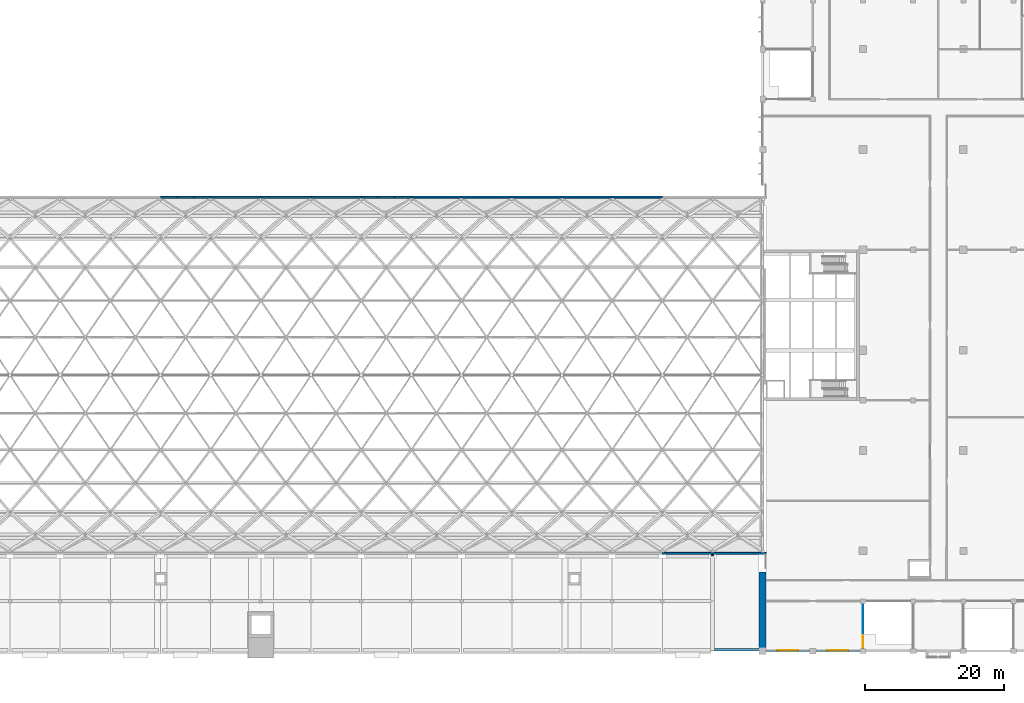
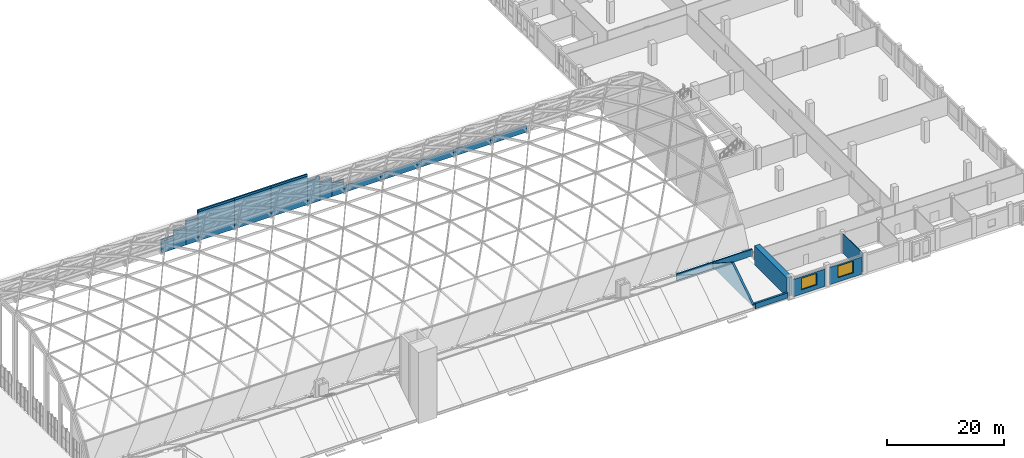
# One storey, part 33 of 52: 31 walls, 2 windows, 1 door, 3 openings.
"""IFC4 building model written with IfcOpenShell, lengths in metres."""

import ifcopenshell
import ifcopenshell.guid

model = None  # the IFC model being written
_history = None  # IfcOwnerHistory: only IFC2X3 demands one
_inside = {}  # id of a spatial element -> (the spatial element, [elements in it])
_under = {}  # id of a project, library or spatial element -> (it, [spatial elements below it])
_declared = {}  # id of a project -> (the project, [libraries it declares])
_typed = {}  # id of a type object -> (the type object, [elements of that type])
_made_of = {}  # id of a material, layer set ... -> (it, [elements and type objects made of it])


def new_model(schema):
    """Start an empty IFC model of exactly this schema.

    Asked for "IFC4X3", IfcOpenShell would pick the latest addendum, in which some entities
    have other attributes; the version numbers below select the first issue.
    IFC2X3 requires an IfcOwnerHistory on every rooted entity: one is made here for all.
    """
    global model, _history
    if schema == "IFC4X3":
        model = ifcopenshell.file(schema_version=(4, 3, 0, 0))
    else:
        model = ifcopenshell.file(schema=schema)
    _inside.clear()
    _under.clear()
    _declared.clear()
    _typed.clear()
    _made_of.clear()
    _history = None
    if model.schema == "IFC2X3":
        org = make("IfcOrganization", Name="unknown")
        user = make(
            "IfcPersonAndOrganization",
            ThePerson=make("IfcPerson", FamilyName="unknown"),
            TheOrganization=org,
        )
        app = make(
            "IfcApplication",
            ApplicationDeveloper=org,
            Version="unknown",
            ApplicationFullName="unknown",
            ApplicationIdentifier="unknown",
        )
        _history = make(
            "IfcOwnerHistory",
            OwningUser=user,
            OwningApplication=app,
            ChangeAction="ADDED",
            CreationDate=0,
        )
    return model


def make(cls, **values):
    """One entity of the class cls with the attributes given. An attribute that is None is left unset."""
    return model.create_entity(
        cls, **{name: value for name, value in values.items() if value is not None}
    )


def rooted(cls, **values):
    """An entity with a GlobalId (a new one), such as an element, a storey or a relation."""
    return make(cls, GlobalId=ifcopenshell.guid.new(), OwnerHistory=_history, **values)


def si_unit(unit_type, name, prefix=None):
    """IfcSIUnit, for example si_unit("LENGTHUNIT", "METRE", prefix="MILLI")."""
    return make("IfcSIUnit", UnitType=unit_type, Prefix=prefix, Name=name)


def assignment(units):
    """IfcUnitAssignment: the units of a project."""
    return None if units is None else make("IfcUnitAssignment", Units=units)


def point(xyz):
    """IfcCartesianPoint."""
    return None if xyz is None else make("IfcCartesianPoint", Coordinates=xyz)


def direction(xyz):
    """IfcDirection."""
    return None if xyz is None else make("IfcDirection", DirectionRatios=xyz)


def frame(location, z_axis=None, x_axis=None):
    """IfcAxis2Placement3D, a coordinate frame: its origin and axes. An axis left out is left unset."""
    return make(
        "IfcAxis2Placement3D",
        Location=point(location),
        Axis=direction(z_axis),
        RefDirection=direction(x_axis),
    )


def frame_2d(location, x_axis=None):
    """IfcAxis2Placement2D, a coordinate frame in the plane: its origin and x axis."""
    return make(
        "IfcAxis2Placement2D", Location=point(location), RefDirection=direction(x_axis)
    )


def origin():
    """The frame at (0, 0, 0) with its axes left unset."""
    return frame((0.0, 0.0, 0.0))


def place(relative_to, where):
    """IfcLocalPlacement: puts the frame where relative to a parent placement (None: the world)."""
    return make(
        "IfcLocalPlacement", PlacementRelTo=relative_to, RelativePlacement=where
    )


def context(
    kind, dimensions, precision=None, world=None, true_north=None, identifier=None
):
    """IfcGeometricRepresentationContext, for example the 3D "Model" context."""
    return make(
        "IfcGeometricRepresentationContext",
        ContextIdentifier=identifier,
        ContextType=kind,
        CoordinateSpaceDimension=dimensions,
        Precision=precision,
        WorldCoordinateSystem=world,
        TrueNorth=true_north,
    )


def subcontext(parent, identifier, kind, view, scale=None):
    """IfcGeometricRepresentationSubContext, for example "Body" below "Model"."""
    return make(
        "IfcGeometricRepresentationSubContext",
        ContextIdentifier=identifier,
        ContextType=kind,
        ParentContext=parent,
        TargetScale=scale,
        TargetView=view,
    )


def project(units=None, contexts=None):
    """IfcProject with its units and contexts."""
    return rooted(
        "IfcProject",
        Name="project",
        RepresentationContexts=contexts,
        UnitsInContext=assignment(units),
    )


def spatial(cls, under=None, at=None, **own):
    """A site, building, storey or space (cls), placed at a placement, below another one or the project."""
    s = rooted(cls, ObjectPlacement=at, **own)
    if under is not None:
        _under.setdefault(under.id(), (under, []))[1].append(s)
    return s


def polyline(points):
    """IfcPolyline through the points."""
    return make("IfcPolyline", Points=[point(p) for p in points])


def profile(cls, at=None, kind="AREA", **sizes):
    """A parametric profile (cls). Its sizes go by their IFC names, for example OverallWidth=200.0."""
    return make(cls, ProfileType=kind, Position=at, **sizes)


def rectangle(**sizes):
    """IfcRectangleProfileDef."""
    return profile("IfcRectangleProfileDef", **sizes)


def outline(outer, holes=None, kind="AREA"):
    """IfcArbitraryClosedProfileDef: a profile drawn as a closed curve; with holes, ...WithVoids."""
    if holes is None:
        return make("IfcArbitraryClosedProfileDef", ProfileType=kind, OuterCurve=outer)
    return make(
        "IfcArbitraryProfileDefWithVoids",
        ProfileType=kind,
        OuterCurve=outer,
        InnerCurves=holes,
    )


def extrude(swept, where, along, depth):
    """IfcExtrudedAreaSolid: the profile swept, set in the frame where, extruded along a direction by depth."""
    return make(
        "IfcExtrudedAreaSolid",
        SweptArea=swept,
        Position=where,
        ExtrudedDirection=direction(along),
        Depth=depth,
    )


def shape(context_of_items, identifier, shape_type, items):
    """IfcShapeRepresentation: the items that make up one representation, for example the "Body"."""
    return make(
        "IfcShapeRepresentation",
        ContextOfItems=context_of_items,
        RepresentationIdentifier=identifier,
        RepresentationType=shape_type,
        Items=items,
    )


def material(Name=None, Category=None):
    """IfcMaterial."""
    return make("IfcMaterial", Name=Name, Category=Category)


def layer(
    of_material, thickness, ventilated=None, Name=None, Category=None, Priority=None
):
    """IfcMaterialLayer: one layer of a wall or slab, of a material (None: an air gap)."""
    return make(
        "IfcMaterialLayer",
        Material=of_material,
        LayerThickness=thickness,
        IsVentilated=ventilated,
        Name=Name,
        Category=Category,
        Priority=Priority,
    )


def layer_set(layers, Name=None):
    """IfcMaterialLayerSet."""
    return make("IfcMaterialLayerSet", MaterialLayers=layers, LayerSetName=Name)


def made_of(thing, what):
    """Note that an element or type object is made of a material, layer set ...; save() writes the relation."""
    if what is not None:
        _made_of.setdefault(what.id(), (what, []))[1].append(thing)
    return thing


def type_object(cls, material=None, **own):
    """A type object (cls), such as IfcWallType, which elements share."""
    return made_of(rooted(cls, **own), material)


def element(
    cls,
    number,
    at=None,
    inside=None,
    cuts=None,
    type_object=None,
    material=None,
    context=None,
    identifier="Body",
    shape_type=None,
    held_by="IfcProductDefinitionShape",
    body=None,
    shapes=None,
    **own,
):
    """One element of the class cls, such as IfcWall. Its Tag is "e" and its number.

    at: its placement. inside: the storey or other place that contains it. cuts: it is an
    opening in that element (IfcRelVoidsElement). A single representation is given by context,
    identifier, shape_type and body (its items); several are given by shapes. held_by: the class
    of the entity that holds the representations. save() writes the other relations.
    """
    e = rooted(cls, Tag="e%d" % number, ObjectPlacement=at, **own)
    if body is not None:
        shapes = [shape(context, identifier, shape_type, body)]
    if shapes is not None:
        e.Representation = make(held_by, Representations=shapes)
    if inside is not None:
        _inside.setdefault(inside.id(), (inside, []))[1].append(e)
    if cuts is not None:
        rooted(
            "IfcRelVoidsElement", RelatingBuildingElement=cuts, RelatedOpeningElement=e
        )
    if type_object is not None:
        _typed.setdefault(type_object.id(), (type_object, []))[1].append(e)
    return made_of(e, material)


def fill(opening, filler):
    """IfcRelFillsElement: the door or window that sits in an opening."""
    return rooted(
        "IfcRelFillsElement",
        RelatingOpeningElement=opening,
        RelatedBuildingElement=filler,
    )


def aggregate(whole, parts):
    """IfcRelAggregates: a whole, such as a stair, and the parts it consists of."""
    return rooted("IfcRelAggregates", RelatingObject=whole, RelatedObjects=parts)


def save(model, path):
    """Write the relations noted so far, then the file.

    IfcRelAggregates (storeys below a building ...), IfcRelContainedInSpatialStructure (elements
    in a storey), IfcRelDefinesByType, IfcRelAssociatesMaterial and IfcRelDeclares: one each for
    every whole, place, type object, material and project.
    """
    for whole, parts in _under.values():
        aggregate(whole, parts)
    for where, things in _inside.values():
        rooted(
            "IfcRelContainedInSpatialStructure",
            RelatedElements=things,
            RelatingStructure=where,
        )
    for kind, things in _typed.values():
        rooted("IfcRelDefinesByType", RelatedObjects=things, RelatingType=kind)
    for what, things in _made_of.values():
        rooted("IfcRelAssociatesMaterial", RelatedObjects=things, RelatingMaterial=what)
    for by, libraries in _declared.values():
        rooted("IfcRelDeclares", RelatingContext=by, RelatedDefinitions=libraries)
    model.write(path)


model = new_model("IFC4")

# Units and contexts
model_context = context("Model", 3, precision=1e-05, world=origin(), true_north=direction((0.0, 1.0)))
body_context = subcontext(model_context, "Body", "Model", "MODEL_VIEW")
ifc_project = project(units=[si_unit("LENGTHUNIT", "METRE"), si_unit("AREAUNIT", "SQUARE_METRE"), si_unit("VOLUMEUNIT", "CUBIC_METRE"), si_unit("PLANEANGLEUNIT", "RADIAN"), si_unit("MASSUNIT", "GRAM", prefix="KILO")], contexts=[model_context])

# Site, building, storey
site_placement = place(None, origin())
site = spatial("IfcSite", under=ifc_project, at=site_placement, CompositionType="ELEMENT")
building_placement = place(site_placement, origin())
building = spatial("IfcBuilding", under=site, at=building_placement, Name="Vermilion Court Aquatics Centre", CompositionType="ELEMENT")
storey_placement = place(building_placement, frame((0.0, 0.0, 12.0)))
storey = spatial("IfcBuildingStorey", under=building, at=storey_placement, Name="L02", CompositionType="ELEMENT", Elevation=12.0)

# Walls
ifc_material_1 = material(Name="Brick masonry", Category="masonry")
ifc_layer_1 = layer(ifc_material_1, 0.280029296875)
ifc_layer_set_1 = layer_set([ifc_layer_1], Name="Envelope brick entrance gable step 280")
wall_type_1 = type_object("IfcWallType", Name="Envelope brick entrance gable step 280", PredefinedType="SOLIDWALL", material=ifc_layer_set_1)
wall_1_placement = place(storey_placement, frame((57.60009765625, 65.159912109375, 0.0), z_axis=(0.0, 0.0, 1.0), x_axis=(1.0, 0.0, 0.0)))
element("IfcWall", 1, at=wall_1_placement, inside=storey, type_object=wall_type_1, Name="North entrance gable step 7.1", PredefinedType="SOLIDWALL", context=body_context, shape_type="SweptSolid", body=[
    extrude(rectangle(XDim=2.39990234375, YDim=0.280029296875, at=frame_2d((1.199951171875, 0.0))), origin(), (0.0, 0.0, 1.0), 2.39990234375),
])
wall_2_placement = place(storey_placement, frame((60.0, 65.159912109375, 0.0), z_axis=(0.0, 0.0, 1.0), x_axis=(1.0, 0.0, 0.0)))
element("IfcWall", 2, at=wall_2_placement, inside=storey, type_object=wall_type_1, Name="North entrance gable step 7.2", PredefinedType="SOLIDWALL", context=body_context, shape_type="SweptSolid", body=[
    extrude(rectangle(XDim=2.39990234375, YDim=0.280029296875, at=frame_2d((1.199951171875, 0.0))), origin(), (0.0, 0.0, 1.0), 3.60009765625),
])
wall_3_placement = place(storey_placement, frame((62.39990234375, 65.159912109375, 0.0), z_axis=(0.0, 0.0, 1.0), x_axis=(1.0, 0.0, 0.0)))
element("IfcWall", 3, at=wall_3_placement, inside=storey, type_object=wall_type_1, Name="North entrance gable step 7.3", PredefinedType="SOLIDWALL", context=body_context, shape_type="SweptSolid", body=[
    extrude(rectangle(XDim=2.400146484375, YDim=0.280029296875, at=frame_2d((1.2001953125, 0.0))), origin(), (0.0, 0.0, 1.0), 4.800048828125),
])
for number, where, z_axis, x_axis, name in (
    (4, (64.800048828125, 65.159912109375, 0.0), (0.0, 0.0, 1.0), (1.0, 0.0, 0.0), "North entrance gable step 8.1"),
    (5, (72.0, 65.159912109375, 0.0), (0.0, 0.0, 1.0), (1.0, 0.0, 0.0), "North entrance gable step 9.1"),
    (6, (79.199951171875, 65.159912109375, 0.0), (0.0, 0.0, 1.0), (1.0, 0.0, 0.0), "North entrance gable step 10.1"),
):
    element("IfcWall", number, at=place(storey_placement, frame(where, z_axis=z_axis, x_axis=x_axis)), inside=storey, type_object=wall_type_1, Name=name, PredefinedType="SOLIDWALL", context=body_context, shape_type="SweptSolid", body=[
        extrude(rectangle(XDim=7.199951171875, YDim=0.280029296875, at=frame_2d((3.60009765625, 0.0))), origin(), (0.0, 0.0, 1.0), 6.0),
    ])
wall_4_placement = place(storey_placement, frame((86.39990234375, 65.159912109375, 0.0), z_axis=(0.0, 0.0, 1.0), x_axis=(1.0, 0.0, 0.0)))
element("IfcWall", 7, at=wall_4_placement, inside=storey, type_object=wall_type_1, Name="North entrance gable step 11.1", PredefinedType="SOLIDWALL", context=body_context, shape_type="SweptSolid", body=[
    extrude(rectangle(XDim=2.400146484375, YDim=0.280029296875, at=frame_2d((1.2001953125, 0.0))), origin(), (0.0, 0.0, 1.0), 4.800048828125),
])
wall_5_placement = place(storey_placement, frame((88.800048828125, 65.159912109375, 0.0), z_axis=(0.0, 0.0, 1.0), x_axis=(1.0, 0.0, 0.0)))
element("IfcWall", 8, at=wall_5_placement, inside=storey, type_object=wall_type_1, Name="North entrance gable step 11.2", PredefinedType="SOLIDWALL", context=body_context, shape_type="SweptSolid", body=[
    extrude(rectangle(XDim=2.39990234375, YDim=0.280029296875, at=frame_2d((1.199951171875, 0.0))), origin(), (0.0, 0.0, 1.0), 3.60009765625),
])
wall_6_placement = place(storey_placement, frame((91.199951171875, 65.159912109375, 0.0), z_axis=(0.0, 0.0, 1.0), x_axis=(1.0, 0.0, 0.0)))
element("IfcWall", 9, at=wall_6_placement, inside=storey, type_object=wall_type_1, Name="North entrance gable step 11.3", PredefinedType="SOLIDWALL", context=body_context, shape_type="SweptSolid", body=[
    extrude(rectangle(XDim=2.400146484375, YDim=0.280029296875, at=frame_2d((1.2001953125, 0.0))), origin(), (0.0, 0.0, 1.0), 2.39990234375),
])
ifc_material_2 = material(Name="Brick masonry", Category="masonry")
ifc_layer_2 = layer(ifc_material_2, 0.280029296875)
ifc_layer_set_2 = layer_set([ifc_layer_2], Name="Envelope brick parapet 280")
wall_type_2 = type_object("IfcWallType", Name="Envelope brick parapet 280", PredefinedType="PARAPET", material=ifc_layer_set_2)
wall_7_placement = place(storey_placement, frame((129.60009765625, 14.0400390625, 0.0), z_axis=(0.0, 0.0, 1.0), x_axis=(1.0, 0.0, 0.0)))
element("IfcWall", 10, at=wall_7_placement, inside=storey, type_object=wall_type_2, Name="Roof parapet S17", PredefinedType="PARAPET", context=body_context, shape_type="SweptSolid", body=[
    extrude(rectangle(XDim=7.199951171875, YDim=0.280029296875, at=frame_2d((3.60009765625, 0.0))), origin(), (0.0, 0.0, 1.0), 1.39990234375),
])
wall_8_placement = place(storey_placement, frame((136.800048828125, 14.0400390625, 0.0), z_axis=(0.0, 0.0, 1.0), x_axis=(1.0, 0.0, 0.0)))
element("IfcWall", 11, at=wall_8_placement, inside=storey, type_object=wall_type_2, Name="Roof parapet S18", PredefinedType="PARAPET", context=body_context, shape_type="SweptSolid", body=[
    extrude(rectangle(XDim=7.699951171875, YDim=0.280029296875, at=frame_2d((3.85009765625, 0.0))), origin(), (0.0, 0.0, 1.0), 1.39990234375),
])
for number, where, z_axis, x_axis, name in (
    (12, (93.60009765625, 65.159912109375, 0.0), (0.0, 0.0, 1.0), (1.0, 0.0, 0.0), "Roof parapet N12"),
    (13, (100.800048828125, 65.159912109375, 0.0), (0.0, 0.0, 1.0), (1.0, 0.0, 0.0), "Roof parapet N13"),
    (14, (108.0, 65.159912109375, 0.0), (0.0, 0.0, 1.0), (1.0, 0.0, 0.0), "Roof parapet N14"),
    (15, (115.199951171875, 65.159912109375, 0.0), (0.0, 0.0, 1.0), (1.0, 0.0, 0.0), "Roof parapet N15"),
):
    element("IfcWall", number, at=place(storey_placement, frame(where, z_axis=z_axis, x_axis=x_axis)), inside=storey, type_object=wall_type_2, Name=name, PredefinedType="PARAPET", context=body_context, shape_type="SweptSolid", body=[
        extrude(rectangle(XDim=7.199951171875, YDim=0.280029296875, at=frame_2d((3.60009765625, 0.0))), origin(), (0.0, 0.0, 1.0), 1.39990234375),
    ])
wall_9_placement = place(storey_placement, frame((122.39990234375, 65.159912109375, 0.0), z_axis=(0.0, 0.0, 1.0), x_axis=(1.0, 0.0, 0.0)))
element("IfcWall", 16, at=wall_9_placement, inside=storey, type_object=wall_type_2, Name="Roof parapet N16", PredefinedType="PARAPET", context=body_context, shape_type="SweptSolid", body=[
    extrude(rectangle(XDim=7.2001953125, YDim=0.280029296875, at=frame_2d((3.60009765625, 0.0))), origin(), (0.0, 0.0, 1.0), 1.39990234375),
])
ifc_material_3 = material(Name="Terracotta", Category="masonry")
ifc_layer_3 = layer(ifc_material_3, 0.280029296875)
ifc_layer_set_3 = layer_set([ifc_layer_3], Name="Envelope terracotta step coping 280")
wall_type_3 = type_object("IfcWallType", Name="Envelope terracotta step coping 280", PredefinedType="PARAPET", material=ifc_layer_set_3)
wall_10_placement = place(storey_placement, frame((57.60009765625, 65.159912109375, 2.39990234375), z_axis=(0.0, 0.0, 1.0), x_axis=(1.0, 0.0, 0.0)))
element("IfcWall", 17, at=wall_10_placement, inside=storey, type_object=wall_type_3, Name="North entrance gable coping 7.1", PredefinedType="PARAPET", context=body_context, shape_type="SweptSolid", body=[
    extrude(rectangle(XDim=2.39990234375, YDim=0.280029296875, at=frame_2d((1.199951171875, 0.0))), origin(), (0.0, 0.0, 1.0), 0.400146484375),
])
wall_11_placement = place(storey_placement, frame((60.0, 65.159912109375, 3.60009765625), z_axis=(0.0, 0.0, 1.0), x_axis=(1.0, 0.0, 0.0)))
element("IfcWall", 18, at=wall_11_placement, inside=storey, type_object=wall_type_3, Name="North entrance gable coping 7.2", PredefinedType="PARAPET", context=body_context, shape_type="SweptSolid", body=[
    extrude(rectangle(XDim=2.39990234375, YDim=0.280029296875, at=frame_2d((1.199951171875, 0.0))), origin(), (0.0, 0.0, 1.0), 0.39990234375),
])
wall_12_placement = place(storey_placement, frame((62.39990234375, 65.159912109375, 4.800048828125), z_axis=(0.0, 0.0, 1.0), x_axis=(1.0, 0.0, 0.0)))
element("IfcWall", 19, at=wall_12_placement, inside=storey, type_object=wall_type_3, Name="North entrance gable coping 7.3", PredefinedType="PARAPET", context=body_context, shape_type="SweptSolid", body=[
    extrude(rectangle(XDim=2.400146484375, YDim=0.280029296875, at=frame_2d((1.2001953125, 0.0))), origin(), (0.0, 0.0, 1.0), 0.39990234375),
])
for number, where, z_axis, x_axis, name in (
    (20, (64.800048828125, 65.159912109375, 6.0), (0.0, 0.0, 1.0), (1.0, 0.0, 0.0), "North entrance gable coping 8.1"),
    (21, (72.0, 65.159912109375, 6.0), (0.0, 0.0, 1.0), (1.0, 0.0, 0.0), "North entrance gable coping 9.1"),
    (22, (79.199951171875, 65.159912109375, 6.0), (0.0, 0.0, 1.0), (1.0, 0.0, 0.0), "North entrance gable coping 10.1"),
):
    element("IfcWall", number, at=place(storey_placement, frame(where, z_axis=z_axis, x_axis=x_axis)), inside=storey, type_object=wall_type_3, Name=name, PredefinedType="PARAPET", context=body_context, shape_type="SweptSolid", body=[
        extrude(rectangle(XDim=7.199951171875, YDim=0.280029296875, at=frame_2d((3.60009765625, 0.0))), origin(), (0.0, 0.0, 1.0), 0.39990234375),
    ])
wall_13_placement = place(storey_placement, frame((86.39990234375, 65.159912109375, 4.800048828125), z_axis=(0.0, 0.0, 1.0), x_axis=(1.0, 0.0, 0.0)))
element("IfcWall", 23, at=wall_13_placement, inside=storey, type_object=wall_type_3, Name="North entrance gable coping 11.1", PredefinedType="PARAPET", context=body_context, shape_type="SweptSolid", body=[
    extrude(rectangle(XDim=2.400146484375, YDim=0.280029296875, at=frame_2d((1.2001953125, 0.0))), origin(), (0.0, 0.0, 1.0), 0.39990234375),
])
wall_14_placement = place(storey_placement, frame((88.800048828125, 65.159912109375, 3.60009765625), z_axis=(0.0, 0.0, 1.0), x_axis=(1.0, 0.0, 0.0)))
element("IfcWall", 24, at=wall_14_placement, inside=storey, type_object=wall_type_3, Name="North entrance gable coping 11.2", PredefinedType="PARAPET", context=body_context, shape_type="SweptSolid", body=[
    extrude(rectangle(XDim=2.39990234375, YDim=0.280029296875, at=frame_2d((1.199951171875, 0.0))), origin(), (0.0, 0.0, 1.0), 0.39990234375),
])
wall_15_placement = place(storey_placement, frame((91.199951171875, 65.159912109375, 2.39990234375), z_axis=(0.0, 0.0, 1.0), x_axis=(1.0, 0.0, 0.0)))
element("IfcWall", 25, at=wall_15_placement, inside=storey, type_object=wall_type_3, Name="North entrance gable coping 11.3", PredefinedType="PARAPET", context=body_context, shape_type="SweptSolid", body=[
    extrude(rectangle(XDim=2.400146484375, YDim=0.280029296875, at=frame_2d((1.2001953125, 0.0))), origin(), (0.0, 0.0, 1.0), 0.400146484375),
])

# Wall, opening, window
ifc_material_4 = material(Name="Brick masonry", Category="masonry")
ifc_layer_4 = layer(ifc_material_4, 0.300048828125)
ifc_layer_set_4 = layer_set([ifc_layer_4], Name="Podium facade brick wall 300")
wall_type_4 = type_object("IfcWallType", Name="Podium facade brick wall 300", PredefinedType="SOLIDWALL", material=ifc_layer_set_4)
wall_16_placement = place(storey_placement, frame((144.449951171875, 0.0, 0.0), z_axis=(0.0, 0.0, 1.0), x_axis=(1.0, 0.0, 0.0)))
wall_16 = element("IfcWall", 26, at=wall_16_placement, inside=storey, type_object=wall_type_4, Name="Facade wall L02", PredefinedType="SOLIDWALL", context=body_context, shape_type="SweptSolid", body=[
    extrude(rectangle(XDim=6.300048828125, YDim=0.300048828125, at=frame_2d((3.14990234375, 0.0))), origin(), (0.0, 0.0, 1.0), 3.60009765625),
])
opening_1_placement = place(wall_16_placement, frame((1.64990234375, 0.0, 0.89990234375)))
opening_1 = element("IfcOpeningElement", 27, at=opening_1_placement, cuts=wall_16, Name="Opening PN1", PredefinedType="OPENING", context=body_context, shape_type="SweptSolid", body=[
    extrude(rectangle(XDim=3.0, YDim=2.39990234375, at=frame_2d((1.5, 1.199951171875))), frame((0.0, 0.159912109375, 0.0), z_axis=(0.0, -1.0, 0.0), x_axis=(1.0, 0.0, 0.0)), (0.0, 0.0, 1.0), 0.320068359375),
])
ifc_material_5 = material(Name="Aluminium 6063-T5", Category="aluminium")
window_type = type_object("IfcWindowType", Name="Podium window 3000x2400", PartitioningType="DOUBLE_PANEL_VERTICAL", PredefinedType="WINDOW", material=ifc_material_5)
window_1_placement = place(opening_1_placement, origin())
window_1 = element("IfcWindow", 28, at=window_1_placement, inside=storey, type_object=window_type, Name="Window L02", OverallHeight=2.39990234375, OverallWidth=3.0, PartitioningType="DOUBLE_PANEL_VERTICAL", PredefinedType="WINDOW", context=body_context, shape_type="SweptSolid", body=[
    extrude(rectangle(XDim=3.0, YDim=2.39990234375, at=frame_2d((1.5, 1.199951171875))), frame((0.0, 0.1201171875, 0.0), z_axis=(0.0, -1.0, 0.0), x_axis=(1.0, 0.0, 0.0)), (0.0, 0.0, 1.0), 0.06005859375),
])
fill(opening_1, window_1)

wall_17_placement = place(storey_placement, frame((151.64990234375, 0.0, 0.0), z_axis=(0.0, 0.0, 1.0), x_axis=(1.0, 0.0, 0.0)))
wall_17 = element("IfcWall", 29, at=wall_17_placement, inside=storey, type_object=wall_type_4, Name="Facade wall L02", PredefinedType="SOLIDWALL", context=body_context, shape_type="SweptSolid", body=[
    extrude(rectangle(XDim=6.300048828125, YDim=0.300048828125, at=frame_2d((3.14990234375, 0.0))), origin(), (0.0, 0.0, 1.0), 3.60009765625),
])
opening_2_placement = place(wall_17_placement, frame((1.64990234375, 0.0, 0.89990234375)))
opening_2 = element("IfcOpeningElement", 30, at=opening_2_placement, cuts=wall_17, Name="Opening PN1", PredefinedType="OPENING", context=body_context, shape_type="SweptSolid", body=[
    extrude(rectangle(XDim=3.0, YDim=2.39990234375, at=frame_2d((1.5, 1.199951171875))), frame((0.0, 0.159912109375, 0.0), z_axis=(0.0, -1.0, 0.0), x_axis=(1.0, 0.0, 0.0)), (0.0, 0.0, 1.0), 0.320068359375),
])
window_2_placement = place(opening_2_placement, origin())
window_2 = element("IfcWindow", 31, at=window_2_placement, inside=storey, type_object=window_type, Name="Window L02", OverallHeight=2.39990234375, OverallWidth=3.0, PartitioningType="DOUBLE_PANEL_VERTICAL", PredefinedType="WINDOW", context=body_context, shape_type="SweptSolid", body=[
    extrude(rectangle(XDim=3.0, YDim=2.39990234375, at=frame_2d((1.5, 1.199951171875))), frame((0.0, 0.1201171875, 0.0), z_axis=(0.0, -1.0, 0.0), x_axis=(1.0, 0.0, 0.0)), (0.0, 0.0, 1.0), 0.06005859375),
])
fill(opening_2, window_2)

# Wall, opening, door
ifc_material_6 = material(Name="Concrete 5000 psi", Category="concrete")
ifc_layer_5 = layer(ifc_material_6, 0.125)
ifc_layer_set_5 = layer_set([ifc_layer_5], Name="Podium stair enclosure wall 125, 2 hr")
wall_type_5 = type_object("IfcWallType", Name="Podium stair enclosure wall 125, 2 hr", PredefinedType="SOLIDWALL", material=ifc_layer_set_5)
wall_18_placement = place(storey_placement, frame((158.39990234375, 0.14990234375, 0.0), z_axis=(0.0, 0.0, 1.0), x_axis=(0.0, 1.0, 0.0)))
wall_18 = element("IfcWall", 32, at=wall_18_placement, inside=storey, type_object=wall_type_5, Name="Stair enclosure wall", PredefinedType="SOLIDWALL", context=body_context, shape_type="SweptSolid", body=[
    extrude(rectangle(XDim=6.962646484375, YDim=0.125, at=frame_2d((3.4814453125, 0.0))), origin(), (0.0, 0.0, 1.0), 4.0),
])
opening_3_placement = place(wall_18_placement, frame((0.35009765625, 0.0, 0.0)))
opening_3 = element("IfcOpeningElement", 33, at=opening_3_placement, cuts=wall_18, Name="Opening P02-002", PredefinedType="OPENING", context=body_context, shape_type="SweptSolid", body=[
    extrude(rectangle(XDim=1.800048828125, YDim=2.10009765625, at=frame_2d((0.89990234375, 1.050048828125))), frame((0.0, 0.072509765625, 0.0), z_axis=(0.0, -1.0, 0.0), x_axis=(1.0, 0.0, 0.0)), (0.0, 0.0, 1.0), 0.14501953125),
])
ifc_material_7 = material(Name="Hollow metal")
door_type = type_object("IfcDoorType", Name="Podium fire door stair pair 1800x2100, 90 min", OperationType="DOUBLE_DOOR_SINGLE_SWING", PredefinedType="DOOR", material=ifc_material_7)
door_placement = place(opening_3_placement, frame((1.800048828125, 0.0, 0.0), z_axis=(0.0, 0.0, 1.0), x_axis=(-1.0, 0.0, 0.0)))
door = element("IfcDoor", 34, at=door_placement, inside=storey, type_object=door_type, Name="Door", OperationType="DOUBLE_DOOR_SINGLE_SWING", OverallHeight=2.10009765625, OverallWidth=1.800048828125, PredefinedType="DOOR", context=body_context, shape_type="SweptSolid", body=[
    extrude(rectangle(XDim=1.800048828125, YDim=2.10009765625, at=frame_2d((0.900146484375, 1.050048828125))), frame((0.0, 0.025146484375, 0.0), z_axis=(0.0, -1.0, 0.0), x_axis=(1.0, 0.0, 0.0)), (0.0, 0.0, 1.0), 0.050048828125),
])
fill(opening_3, door)

# Walls
ifc_material_8 = material(Name="Concrete 5000 psi", Category="concrete")
ifc_layer_6 = layer(ifc_material_8, 1.0)
ifc_layer_set_6 = layer_set([ifc_layer_6], Name="Podium wing end wall 1000")
wall_type_6 = type_object("IfcWallType", Name="Podium wing end wall 1000", PredefinedType="SOLIDWALL", material=ifc_layer_set_6)
wall_19_placement = place(storey_placement, frame((144.0, 0.39990234375, 0.0), z_axis=(0.0, 0.0, 1.0), x_axis=(0.0, 1.0, 0.0)))
element("IfcWall", 35, at=wall_19_placement, inside=storey, type_object=wall_type_6, Name="Wing end wall L02", PredefinedType="SOLIDWALL", context=body_context, shape_type="SweptSolid", body=[
    extrude(rectangle(XDim=11.0, YDim=1.0, at=frame_2d((5.5, 0.0))), origin(), (0.0, 0.0, 1.0), 4.0),
])
ifc_material_9 = material(Name="Brick masonry", Category="masonry")
ifc_layer_7 = layer(ifc_material_9, 0.39990234375)
ifc_layer_set_7 = layer_set([ifc_layer_7], Name="South parapet wall 400")
wall_type_7 = type_object("IfcWallType", Name="South parapet wall 400", PredefinedType="PARAPET", material=ifc_layer_set_7)
wall_20_placement = place(storey_placement, frame((137.074951171875, 0.199951171875, 0.0), z_axis=(0.0, 0.0, 1.0), x_axis=(1.0, 0.0, 0.0)))
element("IfcWall", 36, at=wall_20_placement, inside=storey, type_object=wall_type_7, Name="Roof parapet", PredefinedType="PARAPET", context=body_context, shape_type="SweptSolid", body=[
    extrude(rectangle(XDim=6.47509765625, YDim=0.39990234375, at=frame_2d((3.237548828125, 0.0))), origin(), (0.0, 0.0, 1.0), 1.10009765625),
])
ifc_material_10 = material(Name="Brick masonry", Category="masonry")
ifc_layer_8 = layer(ifc_material_10, 0.39990234375)
ifc_layer_set_8 = layer_set([ifc_layer_8], Name="South roof gable wall brick 400")
wall_type_8 = type_object("IfcWallType", Name="South roof gable wall brick 400", PredefinedType="SOLIDWALL", material=ifc_layer_set_8)
wall_21_placement = place(storey_placement, frame((136.800048828125, 0.25, 0.60009765625), z_axis=(0.0, 0.0, 1.0), x_axis=(0.0, 1.0, 0.0)))
element("IfcWall", 37, at=wall_21_placement, inside=storey, type_object=wall_type_8, Name="South roof gable wall", PredefinedType="SOLIDWALL", context=body_context, shape_type="SweptSolid", body=[
    extrude(outline(polyline([(0.0, 0.0), (13.14990234375, 0.0), (13.14990234375, 0.332275390625), (13.64990234375, 0.332275390625), (13.64990234375, 0.4990234375), (6.949951171875, 4.849853515625), (0.0, 0.33642578125), (0.0, 0.0)])), frame((0.0, 0.199951171875, 0.0), z_axis=(0.0, -1.0, 0.0), x_axis=(1.0, 0.0, 0.0)), (0.0, 0.0, 1.0), 0.39990234375),
])

save(model, "model.ifc")
